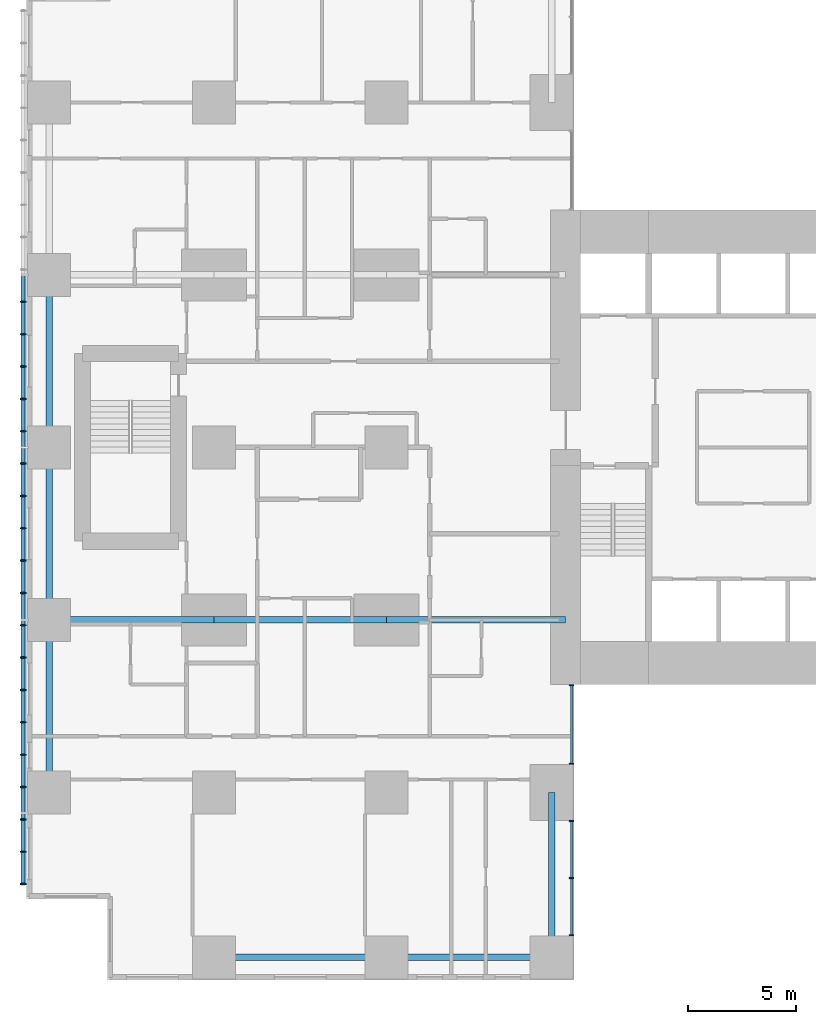
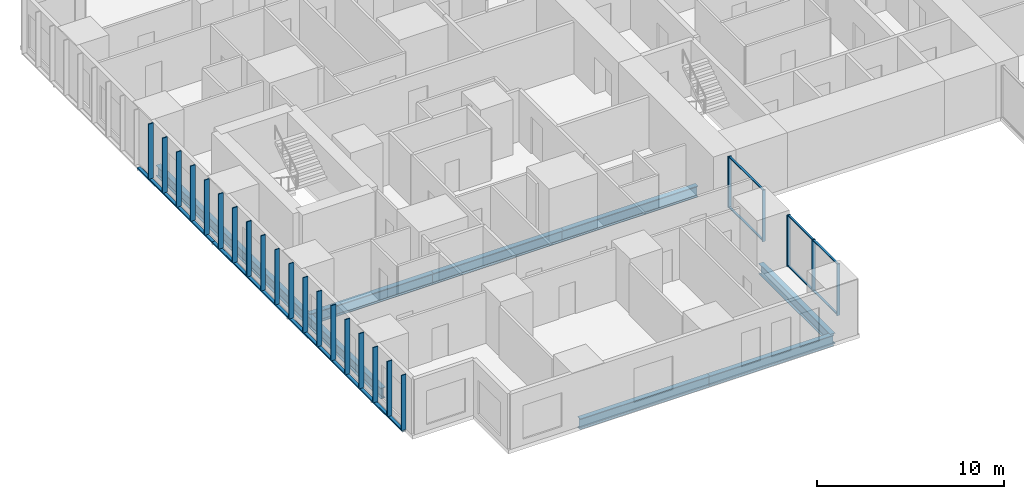
# One storey, part 2 of 20: 33 members, 9 beams, 2 elements without a shape of their own.
"""IFC4 building model written with IfcOpenShell, lengths in metres."""

import ifcopenshell
import ifcopenshell.guid

model = None  # the IFC model being written
_history = None  # IfcOwnerHistory: only IFC2X3 demands one
_inside = {}  # id of a spatial element -> (the spatial element, [elements in it])
_under = {}  # id of a project, library or spatial element -> (it, [spatial elements below it])
_declared = {}  # id of a project -> (the project, [libraries it declares])
_typed = {}  # id of a type object -> (the type object, [elements of that type])
_made_of = {}  # id of a material, layer set ... -> (it, [elements and type objects made of it])


def new_model(schema):
    """Start an empty IFC model of exactly this schema.

    Asked for "IFC4X3", IfcOpenShell would pick the latest addendum, in which some entities
    have other attributes; the version numbers below select the first issue.
    IFC2X3 requires an IfcOwnerHistory on every rooted entity: one is made here for all.
    """
    global model, _history
    if schema == "IFC4X3":
        model = ifcopenshell.file(schema_version=(4, 3, 0, 0))
    else:
        model = ifcopenshell.file(schema=schema)
    _inside.clear()
    _under.clear()
    _declared.clear()
    _typed.clear()
    _made_of.clear()
    _history = None
    if model.schema == "IFC2X3":
        org = make("IfcOrganization", Name="unknown")
        user = make(
            "IfcPersonAndOrganization",
            ThePerson=make("IfcPerson", FamilyName="unknown"),
            TheOrganization=org,
        )
        app = make(
            "IfcApplication",
            ApplicationDeveloper=org,
            Version="unknown",
            ApplicationFullName="unknown",
            ApplicationIdentifier="unknown",
        )
        _history = make(
            "IfcOwnerHistory",
            OwningUser=user,
            OwningApplication=app,
            ChangeAction="ADDED",
            CreationDate=0,
        )
    return model


def make(cls, **values):
    """One entity of the class cls with the attributes given. An attribute that is None is left unset."""
    return model.create_entity(
        cls, **{name: value for name, value in values.items() if value is not None}
    )


def rooted(cls, **values):
    """An entity with a GlobalId (a new one), such as an element, a storey or a relation."""
    return make(cls, GlobalId=ifcopenshell.guid.new(), OwnerHistory=_history, **values)


def si_unit(unit_type, name, prefix=None):
    """IfcSIUnit, for example si_unit("LENGTHUNIT", "METRE", prefix="MILLI")."""
    return make("IfcSIUnit", UnitType=unit_type, Prefix=prefix, Name=name)


def assignment(units):
    """IfcUnitAssignment: the units of a project."""
    return None if units is None else make("IfcUnitAssignment", Units=units)


def point(xyz):
    """IfcCartesianPoint."""
    return None if xyz is None else make("IfcCartesianPoint", Coordinates=xyz)


def direction(xyz):
    """IfcDirection."""
    return None if xyz is None else make("IfcDirection", DirectionRatios=xyz)


def frame(location, z_axis=None, x_axis=None):
    """IfcAxis2Placement3D, a coordinate frame: its origin and axes. An axis left out is left unset."""
    return make(
        "IfcAxis2Placement3D",
        Location=point(location),
        Axis=direction(z_axis),
        RefDirection=direction(x_axis),
    )


def frame_2d(location, x_axis=None):
    """IfcAxis2Placement2D, a coordinate frame in the plane: its origin and x axis."""
    return make(
        "IfcAxis2Placement2D", Location=point(location), RefDirection=direction(x_axis)
    )


def origin():
    """The frame at (0, 0, 0) with its axes left unset."""
    return frame((0.0, 0.0, 0.0))


def origin_2d():
    """The frame at (0, 0) in the plane with its x axis left unset."""
    return frame_2d((0.0, 0.0))


def place(relative_to, where):
    """IfcLocalPlacement: puts the frame where relative to a parent placement (None: the world)."""
    return make(
        "IfcLocalPlacement", PlacementRelTo=relative_to, RelativePlacement=where
    )


def context(
    kind, dimensions, precision=None, world=None, true_north=None, identifier=None
):
    """IfcGeometricRepresentationContext, for example the 3D "Model" context."""
    return make(
        "IfcGeometricRepresentationContext",
        ContextIdentifier=identifier,
        ContextType=kind,
        CoordinateSpaceDimension=dimensions,
        Precision=precision,
        WorldCoordinateSystem=world,
        TrueNorth=true_north,
    )


def subcontext(parent, identifier, kind, view, scale=None):
    """IfcGeometricRepresentationSubContext, for example "Body" below "Model"."""
    return make(
        "IfcGeometricRepresentationSubContext",
        ContextIdentifier=identifier,
        ContextType=kind,
        ParentContext=parent,
        TargetScale=scale,
        TargetView=view,
    )


def project(units=None, contexts=None):
    """IfcProject with its units and contexts."""
    return rooted(
        "IfcProject",
        Name="project",
        RepresentationContexts=contexts,
        UnitsInContext=assignment(units),
    )


def spatial(cls, under=None, at=None, **own):
    """A site, building, storey or space (cls), placed at a placement, below another one or the project."""
    s = rooted(cls, ObjectPlacement=at, **own)
    if under is not None:
        _under.setdefault(under.id(), (under, []))[1].append(s)
    return s


def profile(cls, at=None, kind="AREA", **sizes):
    """A parametric profile (cls). Its sizes go by their IFC names, for example OverallWidth=200.0."""
    return make(cls, ProfileType=kind, Position=at, **sizes)


def rectangle(**sizes):
    """IfcRectangleProfileDef."""
    return profile("IfcRectangleProfileDef", **sizes)


def hollow_rectangle(**sizes):
    """IfcRectangleHollowProfileDef."""
    return profile("IfcRectangleHollowProfileDef", **sizes)


def i_section(**sizes):
    """IfcIShapeProfileDef."""
    return profile("IfcIShapeProfileDef", **sizes)


def extrude(swept, where, along, depth):
    """IfcExtrudedAreaSolid: the profile swept, set in the frame where, extruded along a direction by depth."""
    return make(
        "IfcExtrudedAreaSolid",
        SweptArea=swept,
        Position=where,
        ExtrudedDirection=direction(along),
        Depth=depth,
    )


def shape(context_of_items, identifier, shape_type, items):
    """IfcShapeRepresentation: the items that make up one representation, for example the "Body"."""
    return make(
        "IfcShapeRepresentation",
        ContextOfItems=context_of_items,
        RepresentationIdentifier=identifier,
        RepresentationType=shape_type,
        Items=items,
    )


def material(Name=None, Category=None):
    """IfcMaterial."""
    return make("IfcMaterial", Name=Name, Category=Category)


def layer(
    of_material, thickness, ventilated=None, Name=None, Category=None, Priority=None
):
    """IfcMaterialLayer: one layer of a wall or slab, of a material (None: an air gap)."""
    return make(
        "IfcMaterialLayer",
        Material=of_material,
        LayerThickness=thickness,
        IsVentilated=ventilated,
        Name=Name,
        Category=Category,
        Priority=Priority,
    )


def layer_set(layers, Name=None):
    """IfcMaterialLayerSet."""
    return make("IfcMaterialLayerSet", MaterialLayers=layers, LayerSetName=Name)


def material_profile(
    of_material, cross_section, Name=None, Category=None, Priority=None
):
    """IfcMaterialProfile: a cross section and its material."""
    return make(
        "IfcMaterialProfile",
        Name=Name,
        Material=of_material,
        Profile=cross_section,
        Priority=Priority,
        Category=Category,
    )


def profile_set(profiles, Name=None, composite=None):
    """IfcMaterialProfileSet."""
    return make(
        "IfcMaterialProfileSet",
        Name=Name,
        MaterialProfiles=profiles,
        CompositeProfile=composite,
    )


def made_of(thing, what):
    """Note that an element or type object is made of a material, layer set ...; save() writes the relation."""
    if what is not None:
        _made_of.setdefault(what.id(), (what, []))[1].append(thing)
    return thing


def type_object(cls, material=None, **own):
    """A type object (cls), such as IfcWallType, which elements share."""
    return made_of(rooted(cls, **own), material)


def element(
    cls,
    number,
    at=None,
    inside=None,
    cuts=None,
    type_object=None,
    material=None,
    context=None,
    identifier="Body",
    shape_type=None,
    held_by="IfcProductDefinitionShape",
    body=None,
    shapes=None,
    **own,
):
    """One element of the class cls, such as IfcWall. Its Tag is "e" and its number.

    at: its placement. inside: the storey or other place that contains it. cuts: it is an
    opening in that element (IfcRelVoidsElement). A single representation is given by context,
    identifier, shape_type and body (its items); several are given by shapes. held_by: the class
    of the entity that holds the representations. save() writes the other relations.
    """
    e = rooted(cls, Tag="e%d" % number, ObjectPlacement=at, **own)
    if body is not None:
        shapes = [shape(context, identifier, shape_type, body)]
    if shapes is not None:
        e.Representation = make(held_by, Representations=shapes)
    if inside is not None:
        _inside.setdefault(inside.id(), (inside, []))[1].append(e)
    if cuts is not None:
        rooted(
            "IfcRelVoidsElement", RelatingBuildingElement=cuts, RelatedOpeningElement=e
        )
    if type_object is not None:
        _typed.setdefault(type_object.id(), (type_object, []))[1].append(e)
    return made_of(e, material)


def aggregate(whole, parts):
    """IfcRelAggregates: a whole, such as a stair, and the parts it consists of."""
    return rooted("IfcRelAggregates", RelatingObject=whole, RelatedObjects=parts)


def save(model, path):
    """Write the relations noted so far, then the file.

    IfcRelAggregates (storeys below a building ...), IfcRelContainedInSpatialStructure (elements
    in a storey), IfcRelDefinesByType, IfcRelAssociatesMaterial and IfcRelDeclares: one each for
    every whole, place, type object, material and project.
    """
    for whole, parts in _under.values():
        aggregate(whole, parts)
    for where, things in _inside.values():
        rooted(
            "IfcRelContainedInSpatialStructure",
            RelatedElements=things,
            RelatingStructure=where,
        )
    for kind, things in _typed.values():
        rooted("IfcRelDefinesByType", RelatedObjects=things, RelatingType=kind)
    for what, things in _made_of.values():
        rooted("IfcRelAssociatesMaterial", RelatedObjects=things, RelatingMaterial=what)
    for by, libraries in _declared.values():
        rooted("IfcRelDeclares", RelatingContext=by, RelatedDefinitions=libraries)
    model.write(path)


model = new_model("IFC4")

# Units and contexts
model_context = context("Model", 3, precision=1e-05, world=origin(), true_north=direction((0.0, 1.0)))
body_context = subcontext(model_context, "Body", "Model", "MODEL_VIEW")
ifc_project = project(units=[si_unit("LENGTHUNIT", "METRE"), si_unit("AREAUNIT", "SQUARE_METRE"), si_unit("VOLUMEUNIT", "CUBIC_METRE"), si_unit("PLANEANGLEUNIT", "RADIAN"), si_unit("MASSUNIT", "GRAM", prefix="KILO")], contexts=[model_context])

# Site, building, storey
site_placement = place(None, origin())
site = spatial("IfcSite", under=ifc_project, at=site_placement, CompositionType="ELEMENT")
building_placement = place(site_placement, origin())
building = spatial("IfcBuilding", under=site, at=building_placement, Name="Cleftline Residences", CompositionType="ELEMENT")
storey_placement = place(building_placement, frame((0.0, 0.0, 157.39990234375)))
storey = spatial("IfcBuildingStorey", under=building, at=storey_placement, Name="L41", CompositionType="ELEMENT", Elevation=157.39990234375)

# Members
ifc_material_1 = material(Name="Steel S355, hot-dip galvanised", Category="steel")
ifc_material_profile_1 = material_profile(ifc_material_1, hollow_rectangle(XDim=0.10009765625, YDim=0.199951171875, WallThickness=0.008056640625, InnerFilletRadius=0.008056640625, OuterFilletRadius=0.011962890625, at=origin_2d()))
ifc_profile_set_1 = profile_set([ifc_material_profile_1], Name="Steel S355, hot-dip galvanised")
member_type_1 = type_object("IfcMemberType", Name="BAGUETTE CARRIER RHS 200X100X8", PredefinedType="USERDEFINED", material=ifc_profile_set_1)
for number, where, z_axis, x_axis, name in (
    (1, (-0.85009765625, 32.0, -0.0498046875), (0.0, -1.0, 0.0), (0.0, 0.0, 1.0), "Baguette carrier"),
    (2, (-0.85009765625, 24.0, -0.0498046875), (0.0, -1.0, 0.0), (0.0, 0.0, 1.0), "Baguette carrier"),
):
    element("IfcMember", number, at=place(storey_placement, frame(where, z_axis=z_axis, x_axis=x_axis)), inside=storey, type_object=member_type_1, Name=name, ObjectType="BAGUETTE CARRIER", PredefinedType="USERDEFINED", context=body_context, shape_type="SweptSolid", body=[
        extrude(hollow_rectangle(XDim=0.10009765625, YDim=0.199951171875, WallThickness=0.008056640625, InnerFilletRadius=0.008056640625, OuterFilletRadius=0.011962890625, at=origin_2d()), origin(), (0.0, 0.0, 1.0), 8.0),
    ])
member_1_placement = place(storey_placement, frame((-0.85009765625, 16.0, -0.0498046875), z_axis=(0.0, -1.0, 0.0), x_axis=(0.0, 0.0, 1.0)))
element("IfcMember", 3, at=member_1_placement, inside=storey, type_object=member_type_1, Name="Baguette carrier", ObjectType="BAGUETTE CARRIER", PredefinedType="USERDEFINED", context=body_context, shape_type="SweptSolid", body=[
    extrude(hollow_rectangle(XDim=0.10009765625, YDim=0.199951171875, WallThickness=0.008056640625, InnerFilletRadius=0.008056640625, OuterFilletRadius=0.011962890625, at=origin_2d()), origin(), (0.0, 0.0, 1.0), 12.300048828125),
])

# Beams
ifc_material_2 = material(Name="Steel S355", Category="steel")
ifc_material_profile_2 = material_profile(ifc_material_2, i_section(OverallWidth=0.300048828125, OverallDepth=0.699951171875, WebThickness=0.01708984375, FlangeThickness=0.031982421875, FilletRadius=0.027099609375, at=origin_2d()))
ifc_profile_set_2 = profile_set([ifc_material_profile_2], Name="Steel S355")
beam_type_1 = type_object("IfcBeamType", Name="BEAM HEB 700", PredefinedType="BEAM", material=ifc_profile_set_2)
for number, where, z_axis, x_axis, name in (
    (4, (0.35009765625, 8.0, -0.599853515625), (0.0, 1.0, 0.0), (-1.0, 0.0, 0.0), "Edge beam"),
    (5, (0.35009765625, 16.0, -0.599853515625), (0.0, 1.0, 0.0), (-1.0, 0.0, 0.0), "Edge beam"),
    (6, (0.35009765625, 24.0, -0.599853515625), (0.0, 1.0, 0.0), (-1.0, 0.0, 0.0), "Edge beam"),
    (7, (8.0, 0.35009765625, -0.599853515625), (1.0, 0.0, 0.0), (0.0, 1.0, 0.0), "Edge beam"),
):
    element("IfcBeam", number, at=place(storey_placement, frame(where, z_axis=z_axis, x_axis=x_axis)), inside=storey, type_object=beam_type_1, Name=name, PredefinedType="BEAM", context=body_context, shape_type="SweptSolid", body=[
        extrude(i_section(OverallWidth=0.300048828125, OverallDepth=0.699951171875, WebThickness=0.01708984375, FlangeThickness=0.031982421875, FilletRadius=0.027099609375, at=origin_2d()), origin(), (0.0, 0.0, 1.0), 8.0),
    ])
for number, where, z_axis, x_axis, name in (
    (8, (16.0, 0.35009765625, -0.599853515625), (1.0, 0.0, 0.0), (0.0, 1.0, 0.0), "Edge beam"),
    (9, (23.64990234375, 0.35009765625, -0.599853515625), (0.0, 1.0, 0.0), (-1.0, 0.0, 0.0), "Edge beam"),
):
    element("IfcBeam", number, at=place(storey_placement, frame(where, z_axis=z_axis, x_axis=x_axis)), inside=storey, type_object=beam_type_1, Name=name, PredefinedType="BEAM", context=body_context, shape_type="SweptSolid", body=[
        extrude(i_section(OverallWidth=0.300048828125, OverallDepth=0.699951171875, WebThickness=0.01708984375, FlangeThickness=0.031982421875, FilletRadius=0.027099609375, at=origin_2d()), origin(), (0.0, 0.0, 1.0), 7.64990234375),
    ])
ifc_material_3 = material(Name="Steel S355", Category="steel")
ifc_material_profile_3 = material_profile(ifc_material_3, i_section(OverallWidth=0.303955078125, OverallDepth=0.716064453125, WebThickness=0.02099609375, FlangeThickness=0.0400390625, FilletRadius=0.027099609375, at=origin_2d()))
ifc_profile_set_3 = profile_set([ifc_material_profile_3], Name="Steel S355")
beam_type_2 = type_object("IfcBeamType", Name="BEAM HEM 700", PredefinedType="BEAM", material=ifc_profile_set_3)
beam_1_placement = place(storey_placement, frame((0.35009765625, 16.0, -0.60791015625), z_axis=(1.0, 0.0, 0.0), x_axis=(0.0, 1.0, 0.0)))
element("IfcBeam", 10, at=beam_1_placement, inside=storey, type_object=beam_type_2, Name="Band beam", PredefinedType="BEAM", context=body_context, shape_type="SweptSolid", body=[
    extrude(i_section(OverallWidth=0.303955078125, OverallDepth=0.716064453125, WebThickness=0.02099609375, FlangeThickness=0.0400390625, FilletRadius=0.027099609375, at=origin_2d()), origin(), (0.0, 0.0, 1.0), 7.64990234375),
])
beam_2_placement = place(storey_placement, frame((8.0, 16.0, -0.60791015625), z_axis=(1.0, 0.0, 0.0), x_axis=(0.0, 1.0, 0.0)))
element("IfcBeam", 11, at=beam_2_placement, inside=storey, type_object=beam_type_2, Name="Band beam", PredefinedType="BEAM", context=body_context, shape_type="SweptSolid", body=[
    extrude(i_section(OverallWidth=0.303955078125, OverallDepth=0.716064453125, WebThickness=0.02099609375, FlangeThickness=0.0400390625, FilletRadius=0.027099609375, at=origin_2d()), origin(), (0.0, 0.0, 1.0), 8.0),
])
beam_3_placement = place(storey_placement, frame((16.0, 16.0, -0.60791015625), z_axis=(1.0, 0.0, 0.0), x_axis=(0.0, 1.0, 0.0)))
element("IfcBeam", 12, at=beam_3_placement, inside=storey, type_object=beam_type_2, Name="Band beam", PredefinedType="BEAM", context=body_context, shape_type="SweptSolid", body=[
    extrude(i_section(OverallWidth=0.303955078125, OverallDepth=0.716064453125, WebThickness=0.02099609375, FlangeThickness=0.0400390625, FilletRadius=0.027099609375, at=origin_2d()), origin(), (0.0, 0.0, 1.0), 8.300048828125),
])

# Curtain wall, members
ifc_material_4 = material(Name="Aluminium framed curtain wall", Category="aluminium")
ifc_layer = layer(ifc_material_4, 0.199951171875)
ifc_layer_set = layer_set([ifc_layer], Name="CW1 CLEFT GLAZING")
curtain_wall_type = type_object("IfcCurtainWallType", Name="CW1 CLEFT GLAZING", PredefinedType="NOTDEFINED", material=ifc_layer_set)
curtain_wall_1_placement = place(storey_placement, origin())
curtain_wall_1 = element("IfcCurtainWall", 13, at=curtain_wall_1_placement, inside=storey, type_object=curtain_wall_type, Name="Curtain wall CW1", PredefinedType="NOTDEFINED")
ifc_material_5 = material(Name="Aluminium mullion", Category="aluminium")
ifc_material_profile_4 = material_profile(ifc_material_5, rectangle(XDim=0.199951171875, YDim=0.06005859375, at=origin_2d()))
ifc_profile_set_4 = profile_set([ifc_material_profile_4], Name="Aluminium mullion")
member_type_2 = type_object("IfcMemberType", Name="CW1 MULLION", PredefinedType="MULLION", material=ifc_profile_set_4)
member_2_placement = place(storey_placement, frame((24.574951171875, 1.3798828125, 0.0), z_axis=(0.0, 0.0, 1.0), x_axis=(-1.0, 0.0, 0.0)))
member_2 = element("IfcMember", 14, at=member_2_placement, type_object=member_type_2, Name="CW1 mullion 1", PredefinedType="MULLION", context=body_context, shape_type="SweptSolid", body=[
    extrude(rectangle(XDim=0.199951171875, YDim=0.06005859375, at=origin_2d()), origin(), (0.0, 0.0, 1.0), 3.35009765625),
])
member_3_placement = place(storey_placement, frame((24.574951171875, 4.02490234375, 0.0), z_axis=(0.0, 0.0, 1.0), x_axis=(-1.0, 0.0, 0.0)))
member_3 = element("IfcMember", 15, at=member_3_placement, type_object=member_type_2, Name="CW1 mullion 2", PredefinedType="MULLION", context=body_context, shape_type="SweptSolid", body=[
    extrude(rectangle(XDim=0.199951171875, YDim=0.06005859375, at=origin_2d()), origin(), (0.0, 0.0, 1.0), 3.35009765625),
])
member_4_placement = place(storey_placement, frame((24.574951171875, 6.669921875, 0.0), z_axis=(0.0, 0.0, 1.0), x_axis=(-1.0, 0.0, 0.0)))
member_4 = element("IfcMember", 16, at=member_4_placement, type_object=member_type_2, Name="CW1 mullion 3", PredefinedType="MULLION", context=body_context, shape_type="SweptSolid", body=[
    extrude(rectangle(XDim=0.199951171875, YDim=0.06005859375, at=origin_2d()), origin(), (0.0, 0.0, 1.0), 3.35009765625),
])

curtain_wall_2_placement = place(storey_placement, origin())
curtain_wall_2 = element("IfcCurtainWall", 17, at=curtain_wall_2_placement, inside=storey, type_object=curtain_wall_type, Name="Curtain wall CW1", PredefinedType="NOTDEFINED")
member_5_placement = place(storey_placement, frame((24.574951171875, 9.330078125, 0.0), z_axis=(0.0, 0.0, 1.0), x_axis=(-1.0, 0.0, 0.0)))
member_5 = element("IfcMember", 18, at=member_5_placement, type_object=member_type_2, Name="CW1 mullion 1", PredefinedType="MULLION", context=body_context, shape_type="SweptSolid", body=[
    extrude(rectangle(XDim=0.199951171875, YDim=0.06005859375, at=origin_2d()), origin(), (0.0, 0.0, 1.0), 3.35009765625),
])
member_6_placement = place(storey_placement, frame((24.574951171875, 12.969970703125, 0.0), z_axis=(0.0, 0.0, 1.0), x_axis=(-1.0, 0.0, 0.0)))
member_6 = element("IfcMember", 19, at=member_6_placement, type_object=member_type_2, Name="CW1 mullion 2", PredefinedType="MULLION", context=body_context, shape_type="SweptSolid", body=[
    extrude(rectangle(XDim=0.199951171875, YDim=0.06005859375, at=origin_2d()), origin(), (0.0, 0.0, 1.0), 3.35009765625),
])

# Member
ifc_material_6 = material(Name="Aluminium transom", Category="aluminium")
ifc_material_profile_5 = material_profile(ifc_material_6, rectangle(XDim=0.1201171875, YDim=0.06005859375, at=origin_2d()))
ifc_profile_set_5 = profile_set([ifc_material_profile_5], Name="Aluminium transom")
member_type_3 = type_object("IfcMemberType", Name="CW1 TRANSOM", PredefinedType="USERDEFINED", material=ifc_profile_set_5)
member_7_placement = place(storey_placement, frame((24.574951171875, 1.409912109375, 0.030029296875), z_axis=(0.0, 1.0, 0.0), x_axis=(-1.0, 0.0, 0.0)))
member_7 = element("IfcMember", 20, at=member_7_placement, type_object=member_type_3, Name="CW1 transom 1.1", ObjectType="TRANSOM", PredefinedType="USERDEFINED", context=body_context, shape_type="SweptSolid", body=[
    extrude(rectangle(XDim=0.1201171875, YDim=0.06005859375, at=origin_2d()), origin(), (0.0, 0.0, 1.0), 2.585205078125),
])

member_8_placement = place(storey_placement, frame((24.574951171875, 1.409912109375, 3.320068359375), z_axis=(0.0, 1.0, 0.0), x_axis=(-1.0, 0.0, 0.0)))
member_8 = element("IfcMember", 21, at=member_8_placement, type_object=member_type_3, Name="CW1 transom 1.2", ObjectType="TRANSOM", PredefinedType="USERDEFINED", context=body_context, shape_type="SweptSolid", body=[
    extrude(rectangle(XDim=0.1201171875, YDim=0.06005859375, at=origin_2d()), origin(), (0.0, 0.0, 1.0), 2.585205078125),
])

member_9_placement = place(storey_placement, frame((24.574951171875, 4.054931640625, 0.030029296875), z_axis=(0.0, 1.0, 0.0), x_axis=(-1.0, 0.0, 0.0)))
member_9 = element("IfcMember", 22, at=member_9_placement, type_object=member_type_3, Name="CW1 transom 2.1", ObjectType="TRANSOM", PredefinedType="USERDEFINED", context=body_context, shape_type="SweptSolid", body=[
    extrude(rectangle(XDim=0.1201171875, YDim=0.06005859375, at=origin_2d()), origin(), (0.0, 0.0, 1.0), 2.5849609375),
])

member_10_placement = place(storey_placement, frame((24.574951171875, 4.054931640625, 3.320068359375), z_axis=(0.0, 1.0, 0.0), x_axis=(-1.0, 0.0, 0.0)))
member_10 = element("IfcMember", 23, at=member_10_placement, type_object=member_type_3, Name="CW1 transom 2.2", ObjectType="TRANSOM", PredefinedType="USERDEFINED", context=body_context, shape_type="SweptSolid", body=[
    extrude(rectangle(XDim=0.1201171875, YDim=0.06005859375, at=origin_2d()), origin(), (0.0, 0.0, 1.0), 2.5849609375),
])

aggregate(curtain_wall_1, [member_2, member_3, member_4, member_7, member_8, member_9, member_10])

member_11_placement = place(storey_placement, frame((24.574951171875, 9.360107421875, 0.030029296875), z_axis=(0.0, 1.0, 0.0), x_axis=(-1.0, 0.0, 0.0)))
member_11 = element("IfcMember", 24, at=member_11_placement, type_object=member_type_3, Name="CW1 transom 1.1", ObjectType="TRANSOM", PredefinedType="USERDEFINED", context=body_context, shape_type="SweptSolid", body=[
    extrude(rectangle(XDim=0.1201171875, YDim=0.06005859375, at=origin_2d()), origin(), (0.0, 0.0, 1.0), 3.579833984375),
])

member_12_placement = place(storey_placement, frame((24.574951171875, 9.360107421875, 3.320068359375), z_axis=(0.0, 1.0, 0.0), x_axis=(-1.0, 0.0, 0.0)))
member_12 = element("IfcMember", 25, at=member_12_placement, type_object=member_type_3, Name="CW1 transom 1.2", ObjectType="TRANSOM", PredefinedType="USERDEFINED", context=body_context, shape_type="SweptSolid", body=[
    extrude(rectangle(XDim=0.1201171875, YDim=0.06005859375, at=origin_2d()), origin(), (0.0, 0.0, 1.0), 3.579833984375),
])

aggregate(curtain_wall_2, [member_5, member_6, member_11, member_12])

# Members
ifc_material_7 = material(Name="Extruded terracotta", Category="masonry")
ifc_material_profile_6 = material_profile(ifc_material_7, rectangle(XDim=0.06005859375, YDim=0.300048828125, at=origin_2d()))
ifc_profile_set_6 = profile_set([ifc_material_profile_6], Name="Extruded terracotta")
member_type_4 = type_object("IfcMemberType", Name="TERRACOTTA BAGUETTE 60X300", PredefinedType="USERDEFINED", material=ifc_profile_set_6)
for number, where, z_axis, x_axis, name in (
    (26, (-0.85009765625, 30.75, 0.0), (0.0, 0.0, 1.0), (0.0, 1.0, 0.0), "Terracotta baguette"),
    (27, (-0.85009765625, 29.25, 0.0), (0.0, 0.0, 1.0), (0.0, 1.0, 0.0), "Terracotta baguette"),
    (28, (-0.85009765625, 27.75, 0.0), (0.0, 0.0, 1.0), (0.0, 1.0, 0.0), "Terracotta baguette"),
    (29, (-0.85009765625, 26.25, 0.0), (0.0, 0.0, 1.0), (0.0, 1.0, 0.0), "Terracotta baguette"),
    (30, (-0.85009765625, 24.75, 0.0), (0.0, 0.0, 1.0), (0.0, 1.0, 0.0), "Terracotta baguette"),
    (31, (-0.85009765625, 23.25, 0.0), (0.0, 0.0, 1.0), (0.0, 1.0, 0.0), "Terracotta baguette"),
    (32, (-0.85009765625, 21.75, 0.0), (0.0, 0.0, 1.0), (0.0, 1.0, 0.0), "Terracotta baguette"),
    (33, (-0.85009765625, 20.25, 0.0), (0.0, 0.0, 1.0), (0.0, 1.0, 0.0), "Terracotta baguette"),
    (34, (-0.85009765625, 18.75, 0.0), (0.0, 0.0, 1.0), (0.0, 1.0, 0.0), "Terracotta baguette"),
    (35, (-0.85009765625, 17.25, 0.0), (0.0, 0.0, 1.0), (0.0, 1.0, 0.0), "Terracotta baguette"),
    (36, (-0.85009765625, 15.75, 0.0), (0.0, 0.0, 1.0), (0.0, 1.0, 0.0), "Terracotta baguette"),
    (37, (-0.85009765625, 14.25, 0.0), (0.0, 0.0, 1.0), (0.0, 1.0, 0.0), "Terracotta baguette"),
    (38, (-0.85009765625, 12.75, 0.0), (0.0, 0.0, 1.0), (0.0, 1.0, 0.0), "Terracotta baguette"),
    (39, (-0.85009765625, 11.25, 0.0), (0.0, 0.0, 1.0), (0.0, 1.0, 0.0), "Terracotta baguette"),
    (40, (-0.85009765625, 9.75, 0.0), (0.0, 0.0, 1.0), (0.0, 1.0, 0.0), "Terracotta baguette"),
    (41, (-0.85009765625, 8.25, 0.0), (0.0, 0.0, 1.0), (0.0, 1.0, 0.0), "Terracotta baguette"),
    (42, (-0.85009765625, 6.75, 0.0), (0.0, 0.0, 1.0), (0.0, 1.0, 0.0), "Terracotta baguette"),
    (43, (-0.85009765625, 5.25, 0.0), (0.0, 0.0, 1.0), (0.0, 1.0, 0.0), "Terracotta baguette"),
    (44, (-0.85009765625, 3.75, 0.0), (0.0, 0.0, 1.0), (0.0, 1.0, 0.0), "Terracotta baguette"),
):
    element("IfcMember", number, at=place(storey_placement, frame(where, z_axis=z_axis, x_axis=x_axis)), inside=storey, type_object=member_type_4, Name=name, ObjectType="BAGUETTE", PredefinedType="USERDEFINED", context=body_context, shape_type="SweptSolid", body=[
        extrude(rectangle(XDim=0.06005859375, YDim=0.300048828125, at=origin_2d()), origin(), (0.0, 0.0, 1.0), 3.60009765625),
    ])

save(model, "model.ifc")
